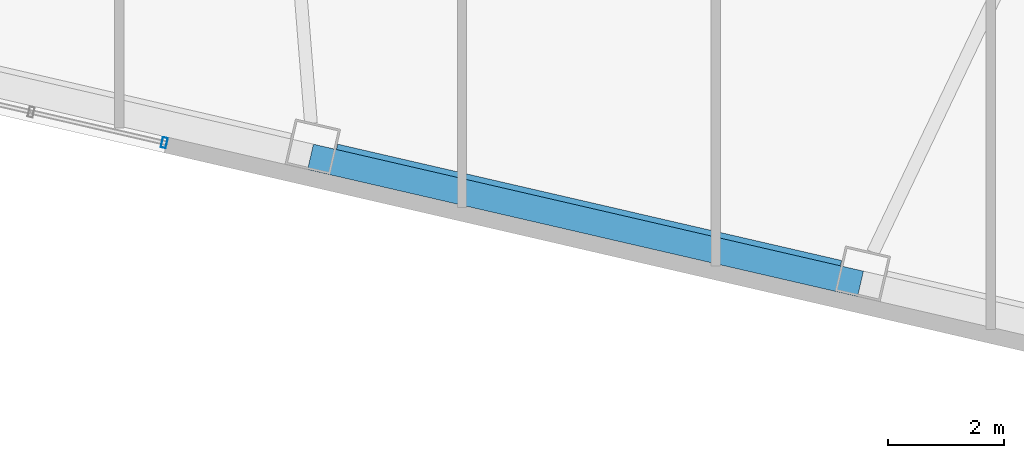
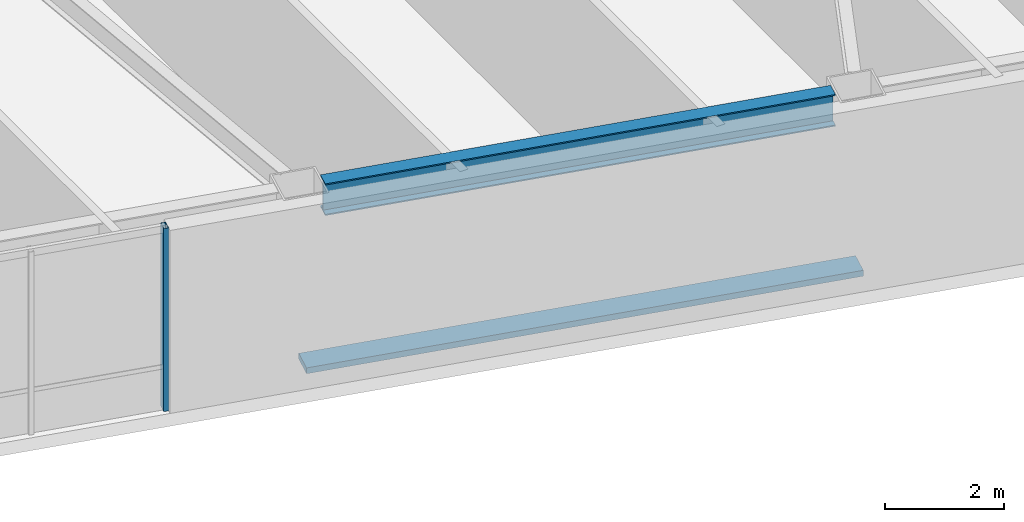
# One storey, part 6 of 22: 2 members, 1 beam, 1 element without a shape of its own.
"""IFC4 building model written with IfcOpenShell, lengths in metres."""

from ifc_helpers import new_model, si_unit, direction, frame, origin, origin_2d, place, context, subcontext, project, spatial, rectangle, hollow_rectangle, i_section, extrude, material, layer, layer_set, material_profile, profile_set, type_object, element, aggregate, save


model = new_model("IFC4")

# Units and contexts
model_context = context("Model", 3, precision=1e-05, world=origin(), true_north=direction((0.0, 1.0)))
body_context = subcontext(model_context, "Body", "Model", "MODEL_VIEW")
ifc_project = project(units=[si_unit("LENGTHUNIT", "METRE"), si_unit("AREAUNIT", "SQUARE_METRE"), si_unit("VOLUMEUNIT", "CUBIC_METRE"), si_unit("PLANEANGLEUNIT", "RADIAN"), si_unit("MASSUNIT", "GRAM", prefix="KILO")], contexts=[model_context])

# Site, building, storey
site_placement = place(None, origin())
site = spatial("IfcSite", under=ifc_project, at=site_placement, CompositionType="ELEMENT")
building_placement = place(site_placement, origin())
building = spatial("IfcBuilding", under=site, at=building_placement, Name="Tavrogorsk Clinical Tower", CompositionType="ELEMENT")
storey_placement = place(building_placement, frame((0.0, 0.0, 55.39990234375)))
storey = spatial("IfcBuildingStorey", under=building, at=storey_placement, Name="L11", CompositionType="ELEMENT", Elevation=55.39990234375)

# Member
ifc_material_1 = material(Name="Anodised aluminium alloy AW-6063", Category="aluminium")
ifc_material_profile_1 = material_profile(ifc_material_1, rectangle(XDim=0.449951171875, YDim=0.1201171875, at=origin_2d()), Name="ALU-SUNSHADE-450x120")
ifc_profile_set_1 = profile_set([ifc_material_profile_1], Name="Anodised aluminium alloy AW-6063")
member_type_1 = type_object("IfcMemberType", Name="ChicagoSunshade_450x120", PredefinedType="USERDEFINED", material=ifc_profile_set_1)
member_1_placement = place(storey_placement, frame((6.201904296875, -29.546142578125, 0.18017578125), z_axis=(0.974370931236, -0.2249473013, 0.0), x_axis=(0.2249473013, 0.974370931236, 0.0)))
element("IfcMember", 1, at=member_1_placement, inside=storey, type_object=member_type_1, Name="L11 South Aluminium Sunshade S6", ObjectType="SUNSHADE", PredefinedType="USERDEFINED", context=body_context, shape_type="SweptSolid", body=[
    extrude(rectangle(XDim=0.449951171875, YDim=0.1201171875, at=origin_2d()), origin(), (0.0, 0.0, 1.0), 9.748291015625),
])

# Curtain wall, member
ifc_material_2 = material(Name="Anodised aluminium and triple IGU glazing", Category="aluminium")
ifc_layer = layer(ifc_material_2, 0.179931640625)
ifc_layer_set = layer_set([ifc_layer], Name="Anodised aluminium and triple IGU glazing")
curtain_wall_type = type_object("IfcCurtainWallType", Name="CW3_SouthSlot", PredefinedType="NOTDEFINED", material=ifc_layer_set)
curtain_wall_placement = place(storey_placement, origin())
curtain_wall = element("IfcCurtainWall", 2, at=curtain_wall_placement, inside=storey, type_object=curtain_wall_type, Name="L11 Curtain Wall CW-L11-S-SLOT-2", PredefinedType="NOTDEFINED")
ifc_material_3 = material(Name="Anodised aluminium alloy AW-6060", Category="aluminium")
ifc_material_profile_2 = material_profile(ifc_material_3, hollow_rectangle(XDim=0.090087890625, YDim=0.179931640625, WallThickness=0.00634765625, at=origin_2d()), Name="RHS-180x90x6.3")
ifc_profile_set_2 = profile_set([ifc_material_profile_2], Name="Anodised aluminium alloy AW-6060")
member_type_2 = type_object("IfcMemberType", Name="CwMullion_180x90", PredefinedType="MULLION", material=ifc_profile_set_2)
member_2_placement = place(storey_placement, frame((3.6767578125, -29.3017578125, 0.0), z_axis=(0.0, 0.0, 1.0), x_axis=(0.974370102963, -0.224950888978, 0.0)))
member_2 = element("IfcMember", 3, at=member_2_placement, type_object=member_type_2, Name="CW-L11-S-SLOT-2 Mullion 3", PredefinedType="MULLION", context=body_context, shape_type="SweptSolid", body=[
    extrude(hollow_rectangle(XDim=0.090087890625, YDim=0.179931640625, WallThickness=0.00634765625, at=origin_2d()), origin(), (0.0, 0.0, 1.0), 3.739990234375),
])
aggregate(curtain_wall, [member_2])

# Beam
ifc_material_4 = material(Name="Structural steel S390", Category="steel")
ifc_material_profile_3 = material_profile(ifc_material_4, i_section(OverallWidth=0.280029296875, OverallDepth=0.64990234375, WebThickness=0.01611328125, FlangeThickness=0.02490234375, at=origin_2d()), Name="B-650x280x16x25")
ifc_profile_set_3 = profile_set([ifc_material_profile_3], Name="Structural steel S390")
beam_type = type_object("IfcBeamType", Name="SpandrelBeam_B650", PredefinedType="SPANDREL", material=ifc_profile_set_3)
beam_placement = place(storey_placement, frame((6.639892578125, -29.46240234375, 3.4150390625), z_axis=(0.974366775889, -0.224965299645, 0.0), x_axis=(0.224965299645, 0.974366775889, 0.0)))
element("IfcBeam", 4, at=beam_placement, inside=storey, type_object=beam_type, Name="L11 Perimeter Spandrel S6-S7", PredefinedType="SPANDREL", context=body_context, shape_type="SweptSolid", body=[
    extrude(i_section(OverallWidth=0.280029296875, OverallDepth=0.64990234375, WebThickness=0.01611328125, FlangeThickness=0.02490234375, at=origin_2d()), origin(), (0.0, 0.0, 1.0), 8.9326171875),
])

save(model, "model.ifc")
